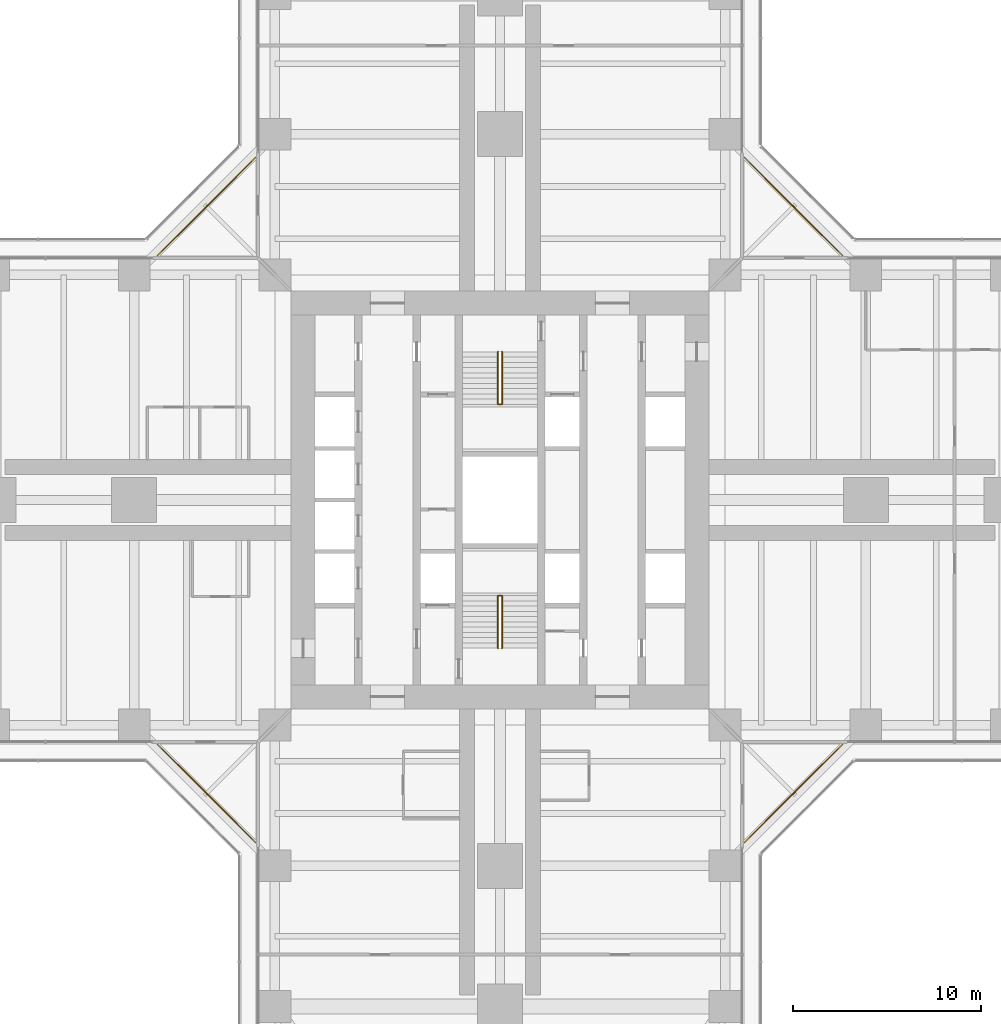
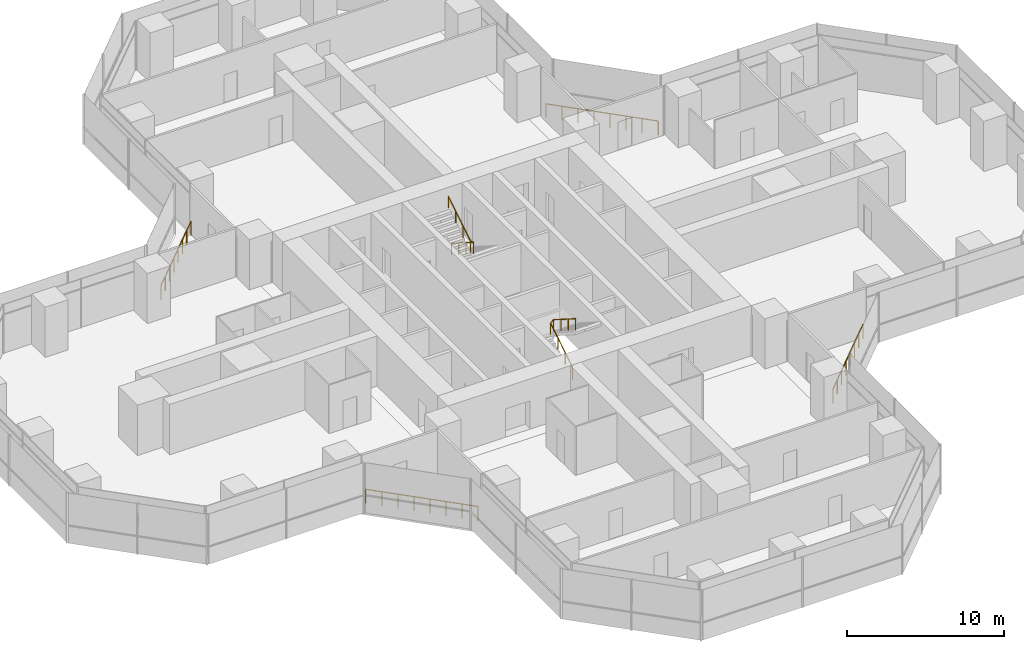
# One storey, part 22 of 22: 6 railings.
"""IFC4 building model written with IfcOpenShell, lengths in metres."""

import ifcopenshell
import ifcopenshell.guid

model = None  # the IFC model being written
_history = None  # IfcOwnerHistory: only IFC2X3 demands one
_inside = {}  # id of a spatial element -> (the spatial element, [elements in it])
_under = {}  # id of a project, library or spatial element -> (it, [spatial elements below it])
_declared = {}  # id of a project -> (the project, [libraries it declares])
_typed = {}  # id of a type object -> (the type object, [elements of that type])
_made_of = {}  # id of a material, layer set ... -> (it, [elements and type objects made of it])


def new_model(schema):
    """Start an empty IFC model of exactly this schema.

    Asked for "IFC4X3", IfcOpenShell would pick the latest addendum, in which some entities
    have other attributes; the version numbers below select the first issue.
    IFC2X3 requires an IfcOwnerHistory on every rooted entity: one is made here for all.
    """
    global model, _history
    if schema == "IFC4X3":
        model = ifcopenshell.file(schema_version=(4, 3, 0, 0))
    else:
        model = ifcopenshell.file(schema=schema)
    _inside.clear()
    _under.clear()
    _declared.clear()
    _typed.clear()
    _made_of.clear()
    _history = None
    if model.schema == "IFC2X3":
        org = make("IfcOrganization", Name="unknown")
        user = make(
            "IfcPersonAndOrganization",
            ThePerson=make("IfcPerson", FamilyName="unknown"),
            TheOrganization=org,
        )
        app = make(
            "IfcApplication",
            ApplicationDeveloper=org,
            Version="unknown",
            ApplicationFullName="unknown",
            ApplicationIdentifier="unknown",
        )
        _history = make(
            "IfcOwnerHistory",
            OwningUser=user,
            OwningApplication=app,
            ChangeAction="ADDED",
            CreationDate=0,
        )
    return model


def make(cls, **values):
    """One entity of the class cls with the attributes given. An attribute that is None is left unset."""
    return model.create_entity(
        cls, **{name: value for name, value in values.items() if value is not None}
    )


def rooted(cls, **values):
    """An entity with a GlobalId (a new one), such as an element, a storey or a relation."""
    return make(cls, GlobalId=ifcopenshell.guid.new(), OwnerHistory=_history, **values)


def si_unit(unit_type, name, prefix=None):
    """IfcSIUnit, for example si_unit("LENGTHUNIT", "METRE", prefix="MILLI")."""
    return make("IfcSIUnit", UnitType=unit_type, Prefix=prefix, Name=name)


def assignment(units):
    """IfcUnitAssignment: the units of a project."""
    return None if units is None else make("IfcUnitAssignment", Units=units)


def point(xyz):
    """IfcCartesianPoint."""
    return None if xyz is None else make("IfcCartesianPoint", Coordinates=xyz)


def direction(xyz):
    """IfcDirection."""
    return None if xyz is None else make("IfcDirection", DirectionRatios=xyz)


def frame(location, z_axis=None, x_axis=None):
    """IfcAxis2Placement3D, a coordinate frame: its origin and axes. An axis left out is left unset."""
    return make(
        "IfcAxis2Placement3D",
        Location=point(location),
        Axis=direction(z_axis),
        RefDirection=direction(x_axis),
    )


def frame_2d(location, x_axis=None):
    """IfcAxis2Placement2D, a coordinate frame in the plane: its origin and x axis."""
    return make(
        "IfcAxis2Placement2D", Location=point(location), RefDirection=direction(x_axis)
    )


def origin():
    """The frame at (0, 0, 0) with its axes left unset."""
    return frame((0.0, 0.0, 0.0))


def origin_2d():
    """The frame at (0, 0) in the plane with its x axis left unset."""
    return frame_2d((0.0, 0.0))


def place(relative_to, where):
    """IfcLocalPlacement: puts the frame where relative to a parent placement (None: the world)."""
    return make(
        "IfcLocalPlacement", PlacementRelTo=relative_to, RelativePlacement=where
    )


def context(
    kind, dimensions, precision=None, world=None, true_north=None, identifier=None
):
    """IfcGeometricRepresentationContext, for example the 3D "Model" context."""
    return make(
        "IfcGeometricRepresentationContext",
        ContextIdentifier=identifier,
        ContextType=kind,
        CoordinateSpaceDimension=dimensions,
        Precision=precision,
        WorldCoordinateSystem=world,
        TrueNorth=true_north,
    )


def subcontext(parent, identifier, kind, view, scale=None):
    """IfcGeometricRepresentationSubContext, for example "Body" below "Model"."""
    return make(
        "IfcGeometricRepresentationSubContext",
        ContextIdentifier=identifier,
        ContextType=kind,
        ParentContext=parent,
        TargetScale=scale,
        TargetView=view,
    )


def project(units=None, contexts=None):
    """IfcProject with its units and contexts."""
    return rooted(
        "IfcProject",
        Name="project",
        RepresentationContexts=contexts,
        UnitsInContext=assignment(units),
    )


def spatial(cls, under=None, at=None, **own):
    """A site, building, storey or space (cls), placed at a placement, below another one or the project."""
    s = rooted(cls, ObjectPlacement=at, **own)
    if under is not None:
        _under.setdefault(under.id(), (under, []))[1].append(s)
    return s


def profile(cls, at=None, kind="AREA", **sizes):
    """A parametric profile (cls). Its sizes go by their IFC names, for example OverallWidth=200.0."""
    return make(cls, ProfileType=kind, Position=at, **sizes)


def circle(**sizes):
    """IfcCircleProfileDef."""
    return profile("IfcCircleProfileDef", **sizes)


def extrude(swept, where, along, depth):
    """IfcExtrudedAreaSolid: the profile swept, set in the frame where, extruded along a direction by depth."""
    return make(
        "IfcExtrudedAreaSolid",
        SweptArea=swept,
        Position=where,
        ExtrudedDirection=direction(along),
        Depth=depth,
    )


def shape(context_of_items, identifier, shape_type, items):
    """IfcShapeRepresentation: the items that make up one representation, for example the "Body"."""
    return make(
        "IfcShapeRepresentation",
        ContextOfItems=context_of_items,
        RepresentationIdentifier=identifier,
        RepresentationType=shape_type,
        Items=items,
    )


def material(Name=None, Category=None):
    """IfcMaterial."""
    return make("IfcMaterial", Name=Name, Category=Category)


def made_of(thing, what):
    """Note that an element or type object is made of a material, layer set ...; save() writes the relation."""
    if what is not None:
        _made_of.setdefault(what.id(), (what, []))[1].append(thing)
    return thing


def type_object(cls, material=None, **own):
    """A type object (cls), such as IfcWallType, which elements share."""
    return made_of(rooted(cls, **own), material)


def element(
    cls,
    number,
    at=None,
    inside=None,
    cuts=None,
    type_object=None,
    material=None,
    context=None,
    identifier="Body",
    shape_type=None,
    held_by="IfcProductDefinitionShape",
    body=None,
    shapes=None,
    **own,
):
    """One element of the class cls, such as IfcWall. Its Tag is "e" and its number.

    at: its placement. inside: the storey or other place that contains it. cuts: it is an
    opening in that element (IfcRelVoidsElement). A single representation is given by context,
    identifier, shape_type and body (its items); several are given by shapes. held_by: the class
    of the entity that holds the representations. save() writes the other relations.
    """
    e = rooted(cls, Tag="e%d" % number, ObjectPlacement=at, **own)
    if body is not None:
        shapes = [shape(context, identifier, shape_type, body)]
    if shapes is not None:
        e.Representation = make(held_by, Representations=shapes)
    if inside is not None:
        _inside.setdefault(inside.id(), (inside, []))[1].append(e)
    if cuts is not None:
        rooted(
            "IfcRelVoidsElement", RelatingBuildingElement=cuts, RelatedOpeningElement=e
        )
    if type_object is not None:
        _typed.setdefault(type_object.id(), (type_object, []))[1].append(e)
    return made_of(e, material)


def aggregate(whole, parts):
    """IfcRelAggregates: a whole, such as a stair, and the parts it consists of."""
    return rooted("IfcRelAggregates", RelatingObject=whole, RelatedObjects=parts)


def save(model, path):
    """Write the relations noted so far, then the file.

    IfcRelAggregates (storeys below a building ...), IfcRelContainedInSpatialStructure (elements
    in a storey), IfcRelDefinesByType, IfcRelAssociatesMaterial and IfcRelDeclares: one each for
    every whole, place, type object, material and project.
    """
    for whole, parts in _under.values():
        aggregate(whole, parts)
    for where, things in _inside.values():
        rooted(
            "IfcRelContainedInSpatialStructure",
            RelatedElements=things,
            RelatingStructure=where,
        )
    for kind, things in _typed.values():
        rooted("IfcRelDefinesByType", RelatedObjects=things, RelatingType=kind)
    for what, things in _made_of.values():
        rooted("IfcRelAssociatesMaterial", RelatedObjects=things, RelatingMaterial=what)
    for by, libraries in _declared.values():
        rooted("IfcRelDeclares", RelatingContext=by, RelatedDefinitions=libraries)
    model.write(path)


model = new_model("IFC4")

# Units and contexts
model_context = context("Model", 3, precision=1e-05, world=origin(), true_north=direction((0.0, 1.0)))
body_context = subcontext(model_context, "Body", "Model", "MODEL_VIEW")
ifc_project = project(units=[si_unit("LENGTHUNIT", "METRE"), si_unit("AREAUNIT", "SQUARE_METRE"), si_unit("VOLUMEUNIT", "CUBIC_METRE"), si_unit("PLANEANGLEUNIT", "RADIAN"), si_unit("MASSUNIT", "GRAM", prefix="KILO")], contexts=[model_context])

# Site, building, storey
site_placement = place(None, origin())
site = spatial("IfcSite", under=ifc_project, at=site_placement, CompositionType="ELEMENT")
building_placement = place(site_placement, origin())
building = spatial("IfcBuilding", under=site, at=building_placement, Name="Mizan Broadcast Tower", CompositionType="ELEMENT")
storey_placement = place(building_placement, frame((0.0, 0.0, 90.300048828125)))
storey = spatial("IfcBuildingStorey", under=building, at=storey_placement, Name="L19", CompositionType="ELEMENT", Elevation=90.300048828125)

# Railings
ifc_material_1 = material(Name="Stainless steel and glass guard", Category="steel")
railing_type_1 = type_object("IfcRailingType", Name="GUARD 1100", PredefinedType="GUARDRAIL", material=ifc_material_1)
railing_1_placement = place(storey_placement, frame((18.2578125, 13.030029296875, 0.0)))
element("IfcRailing", 1, at=railing_1_placement, inside=storey, type_object=railing_type_1, Name="Winter garden guard L19 E", PredefinedType="GUARDRAIL", context=body_context, shape_type="SweptSolid", body=[
    extrude(circle(Radius=0.02392578125, at=origin_2d()), frame((0.0, 0.0, 1.076171875), z_axis=(-0.707106781187, 0.707106781187, 0.0), x_axis=(-0.707106781187, -0.707106781187, 0.0)), (0.0, 0.0, 1.0), 7.393310546875),
    extrude(circle(Radius=0.02099609375, at=origin_2d()), origin(), (0.0, 0.0, 1.0), 1.052001953125),
    extrude(circle(Radius=0.02099609375, at=origin_2d()), frame((-0.746826171875, 0.746826171875, 0.0)), (0.0, 0.0, 1.0), 1.052001953125),
    extrude(circle(Radius=0.02099609375, at=origin_2d()), frame((-1.49365234375, 1.49365234375, 0.0)), (0.0, 0.0, 1.0), 1.052001953125),
    extrude(circle(Radius=0.02099609375, at=origin_2d()), frame((-2.240478515625, 2.240478515625, 0.0)), (0.0, 0.0, 1.0), 1.052001953125),
    extrude(circle(Radius=0.02099609375, at=origin_2d()), frame((-2.9873046875, 2.9873046875, 0.0)), (0.0, 0.0, 1.0), 1.052001953125),
    extrude(circle(Radius=0.02099609375, at=origin_2d()), frame((-3.734130859375, 3.734130859375, 0.0)), (0.0, 0.0, 1.0), 1.052001953125),
    extrude(circle(Radius=0.02099609375, at=origin_2d()), frame((-4.48095703125, 4.48095703125, 0.0)), (0.0, 0.0, 1.0), 1.052001953125),
    extrude(circle(Radius=0.02099609375, at=origin_2d()), frame((-5.227783203125, 5.227783203125, 0.0)), (0.0, 0.0, 1.0), 1.052001953125),
])
railing_2_placement = place(storey_placement, frame((-13.030029296875, 18.2578125, 0.0)))
element("IfcRailing", 2, at=railing_2_placement, inside=storey, type_object=railing_type_1, Name="Winter garden guard L19 N", PredefinedType="GUARDRAIL", context=body_context, shape_type="SweptSolid", body=[
    extrude(circle(Radius=0.02392578125, at=origin_2d()), frame((0.0, 0.0, 1.076171875), z_axis=(-0.707106781187, -0.707106781187, 0.0), x_axis=(0.707106781187, -0.707106781187, 0.0)), (0.0, 0.0, 1.0), 7.393310546875),
    extrude(circle(Radius=0.02099609375, at=origin_2d()), origin(), (0.0, 0.0, 1.0), 1.052001953125),
    extrude(circle(Radius=0.02099609375, at=origin_2d()), frame((-0.746826171875, -0.746826171875, 0.0)), (0.0, 0.0, 1.0), 1.052001953125),
    extrude(circle(Radius=0.02099609375, at=origin_2d()), frame((-1.49365234375, -1.49365234375, 0.0)), (0.0, 0.0, 1.0), 1.052001953125),
    extrude(circle(Radius=0.02099609375, at=origin_2d()), frame((-2.240478515625, -2.240478515625, 0.0)), (0.0, 0.0, 1.0), 1.052001953125),
    extrude(circle(Radius=0.02099609375, at=origin_2d()), frame((-2.9873046875, -2.9873046875, 0.0)), (0.0, 0.0, 1.0), 1.052001953125),
    extrude(circle(Radius=0.02099609375, at=origin_2d()), frame((-3.734130859375, -3.734130859375, 0.0)), (0.0, 0.0, 1.0), 1.052001953125),
    extrude(circle(Radius=0.02099609375, at=origin_2d()), frame((-4.48095703125, -4.48095703125, 0.0)), (0.0, 0.0, 1.0), 1.052001953125),
    extrude(circle(Radius=0.02099609375, at=origin_2d()), frame((-5.227783203125, -5.227783203125, 0.0)), (0.0, 0.0, 1.0), 1.052001953125),
])
railing_3_placement = place(storey_placement, frame((-18.2578125, -13.030029296875, 0.0)))
element("IfcRailing", 3, at=railing_3_placement, inside=storey, type_object=railing_type_1, Name="Winter garden guard L19 W", PredefinedType="GUARDRAIL", context=body_context, shape_type="SweptSolid", body=[
    extrude(circle(Radius=0.02392578125, at=origin_2d()), frame((0.0, 0.0, 1.076171875), z_axis=(0.707106781187, -0.707106781187, 0.0), x_axis=(0.707106781187, 0.707106781187, 0.0)), (0.0, 0.0, 1.0), 7.393310546875),
    extrude(circle(Radius=0.02099609375, at=origin_2d()), origin(), (0.0, 0.0, 1.0), 1.052001953125),
    extrude(circle(Radius=0.02099609375, at=origin_2d()), frame((0.746826171875, -0.746826171875, 0.0)), (0.0, 0.0, 1.0), 1.052001953125),
    extrude(circle(Radius=0.02099609375, at=origin_2d()), frame((1.49365234375, -1.49365234375, 0.0)), (0.0, 0.0, 1.0), 1.052001953125),
    extrude(circle(Radius=0.02099609375, at=origin_2d()), frame((2.240478515625, -2.240478515625, 0.0)), (0.0, 0.0, 1.0), 1.052001953125),
    extrude(circle(Radius=0.02099609375, at=origin_2d()), frame((2.9873046875, -2.9873046875, 0.0)), (0.0, 0.0, 1.0), 1.052001953125),
    extrude(circle(Radius=0.02099609375, at=origin_2d()), frame((3.734130859375, -3.734130859375, 0.0)), (0.0, 0.0, 1.0), 1.052001953125),
    extrude(circle(Radius=0.02099609375, at=origin_2d()), frame((4.48095703125, -4.48095703125, 0.0)), (0.0, 0.0, 1.0), 1.052001953125),
    extrude(circle(Radius=0.02099609375, at=origin_2d()), frame((5.227783203125, -5.227783203125, 0.0)), (0.0, 0.0, 1.0), 1.052001953125),
])
railing_4_placement = place(storey_placement, frame((13.030029296875, -18.2578125, 0.0)))
element("IfcRailing", 4, at=railing_4_placement, inside=storey, type_object=railing_type_1, Name="Winter garden guard L19 S", PredefinedType="GUARDRAIL", context=body_context, shape_type="SweptSolid", body=[
    extrude(circle(Radius=0.02392578125, at=origin_2d()), frame((0.0, 0.0, 1.076171875), z_axis=(0.707106781187, 0.707106781187, 0.0), x_axis=(-0.707106781187, 0.707106781187, 0.0)), (0.0, 0.0, 1.0), 7.393310546875),
    extrude(circle(Radius=0.02099609375, at=origin_2d()), origin(), (0.0, 0.0, 1.0), 1.052001953125),
    extrude(circle(Radius=0.02099609375, at=origin_2d()), frame((0.746826171875, 0.746826171875, 0.0)), (0.0, 0.0, 1.0), 1.052001953125),
    extrude(circle(Radius=0.02099609375, at=origin_2d()), frame((1.49365234375, 1.49365234375, 0.0)), (0.0, 0.0, 1.0), 1.052001953125),
    extrude(circle(Radius=0.02099609375, at=origin_2d()), frame((2.240478515625, 2.240478515625, 0.0)), (0.0, 0.0, 1.0), 1.052001953125),
    extrude(circle(Radius=0.02099609375, at=origin_2d()), frame((2.9873046875, 2.9873046875, 0.0)), (0.0, 0.0, 1.0), 1.052001953125),
    extrude(circle(Radius=0.02099609375, at=origin_2d()), frame((3.734130859375, 3.734130859375, 0.0)), (0.0, 0.0, 1.0), 1.052001953125),
    extrude(circle(Radius=0.02099609375, at=origin_2d()), frame((4.48095703125, 4.48095703125, 0.0)), (0.0, 0.0, 1.0), 1.052001953125),
    extrude(circle(Radius=0.02099609375, at=origin_2d()), frame((5.227783203125, 5.227783203125, 0.0)), (0.0, 0.0, 1.0), 1.052001953125),
])
ifc_material_2 = material(Name="Stainless steel", Category="steel")
railing_type_2 = type_object("IfcRailingType", Name="HANDRAIL 50", PredefinedType="HANDRAIL", material=ifc_material_2)
railing_5_placement = place(storey_placement, frame((-0.110107421875, -7.89990234375, 0.17724609375)))
element("IfcRailing", 5, at=railing_5_placement, inside=storey, type_object=railing_type_2, Name="Stair A handrail", PredefinedType="HANDRAIL", context=body_context, shape_type="SweptSolid", body=[
    extrude(circle(Radius=0.02392578125, at=origin_2d()), frame((0.0, 0.0, 0.8759765625), z_axis=(0.0, 0.844887892834, 0.53494340686), x_axis=(-1.0, 0.0, 0.0)), (0.0, 0.0, 1.0), 3.313720703125),
    extrude(circle(Radius=0.02392578125, at=origin_2d()), frame((0.0, 2.7998046875, 2.6484375), z_axis=(0.779011685263, 0.0, 0.627009405212), x_axis=(0.0, 1.0, 0.0)), (0.0, 0.0, 1.0), 0.28271484375),
    extrude(circle(Radius=0.02392578125, at=origin_2d()), frame((0.22021484375, 2.7998046875, 2.82568359375), z_axis=(0.0, -0.844887892834, 0.53494340686), x_axis=(1.0, 0.0, 0.0)), (0.0, 0.0, 1.0), 3.313720703125),
    extrude(circle(Radius=0.02099609375, at=origin_2d()), origin(), (0.0, 0.0, 1.0), 0.851806640625),
    extrude(circle(Radius=0.02099609375, at=origin_2d()), frame((0.0, 0.933349609375, 0.5908203125)), (0.0, 0.0, 1.0), 0.851806640625),
    extrude(circle(Radius=0.02099609375, at=origin_2d()), frame((0.0, 1.866455078125, 1.181884765625)), (0.0, 0.0, 1.0), 0.851806640625),
    extrude(circle(Radius=0.02099609375, at=origin_2d()), frame((0.0, 2.7998046875, 1.772705078125)), (0.0, 0.0, 1.0), 0.851806640625),
    extrude(circle(Radius=0.02099609375, at=origin_2d()), frame((0.22021484375, 2.7998046875, 1.949951171875)), (0.0, 0.0, 1.0), 0.851806640625),
    extrude(circle(Radius=0.02099609375, at=origin_2d()), frame((0.22021484375, 1.866455078125, 2.540771484375)), (0.0, 0.0, 1.0), 0.851806640625),
    extrude(circle(Radius=0.02099609375, at=origin_2d()), frame((0.22021484375, 0.933349609375, 3.1318359375)), (0.0, 0.0, 1.0), 0.851806640625),
    extrude(circle(Radius=0.02099609375, at=origin_2d()), frame((0.22021484375, 0.0, 3.72265625)), (0.0, 0.0, 1.0), 0.851806640625),
])
railing_6_placement = place(storey_placement, frame((0.110107421875, 7.89990234375, 0.17724609375)))
element("IfcRailing", 6, at=railing_6_placement, inside=storey, type_object=railing_type_2, Name="Stair B handrail", PredefinedType="HANDRAIL", context=body_context, shape_type="SweptSolid", body=[
    extrude(circle(Radius=0.02392578125, at=origin_2d()), frame((0.0, 0.0, 0.8759765625), z_axis=(0.0, -0.844887892834, 0.53494340686), x_axis=(1.0, 0.0, 0.0)), (0.0, 0.0, 1.0), 3.313720703125),
    extrude(circle(Radius=0.02392578125, at=origin_2d()), frame((0.0, -2.7998046875, 2.6484375), z_axis=(-0.779011685263, 0.0, 0.627009405212), x_axis=(0.0, -1.0, 0.0)), (0.0, 0.0, 1.0), 0.28271484375),
    extrude(circle(Radius=0.02392578125, at=origin_2d()), frame((-0.22021484375, -2.7998046875, 2.82568359375), z_axis=(0.0, 0.844887892834, 0.53494340686), x_axis=(-1.0, 0.0, 0.0)), (0.0, 0.0, 1.0), 3.313720703125),
    extrude(circle(Radius=0.02099609375, at=origin_2d()), origin(), (0.0, 0.0, 1.0), 0.851806640625),
    extrude(circle(Radius=0.02099609375, at=origin_2d()), frame((0.0, -0.933349609375, 0.5908203125)), (0.0, 0.0, 1.0), 0.851806640625),
    extrude(circle(Radius=0.02099609375, at=origin_2d()), frame((0.0, -1.866455078125, 1.181884765625)), (0.0, 0.0, 1.0), 0.851806640625),
    extrude(circle(Radius=0.02099609375, at=origin_2d()), frame((0.0, -2.7998046875, 1.772705078125)), (0.0, 0.0, 1.0), 0.851806640625),
    extrude(circle(Radius=0.02099609375, at=origin_2d()), frame((-0.22021484375, -2.7998046875, 1.949951171875)), (0.0, 0.0, 1.0), 0.851806640625),
    extrude(circle(Radius=0.02099609375, at=origin_2d()), frame((-0.22021484375, -1.866455078125, 2.540771484375)), (0.0, 0.0, 1.0), 0.851806640625),
    extrude(circle(Radius=0.02099609375, at=origin_2d()), frame((-0.22021484375, -0.933349609375, 3.1318359375)), (0.0, 0.0, 1.0), 0.851806640625),
    extrude(circle(Radius=0.02099609375, at=origin_2d()), frame((-0.22021484375, 0.0, 3.72265625)), (0.0, 0.0, 1.0), 0.851806640625),
])

save(model, "model.ifc")
